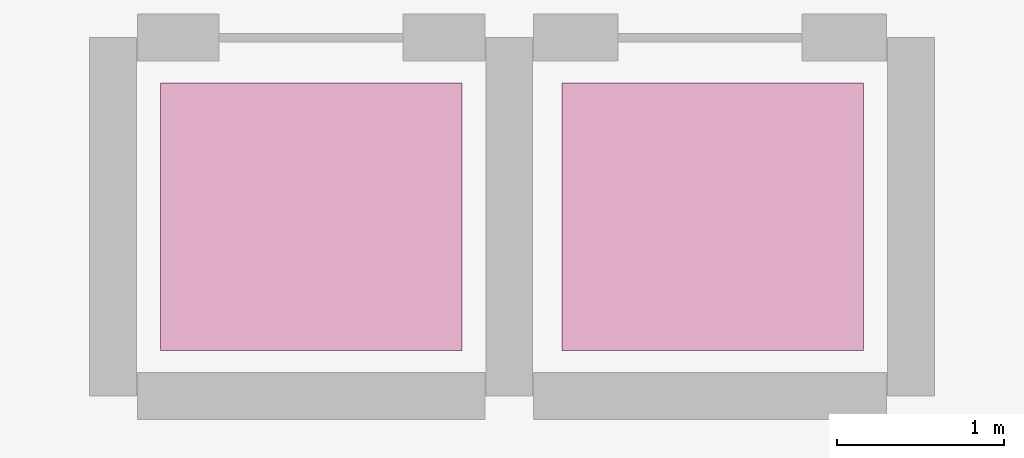
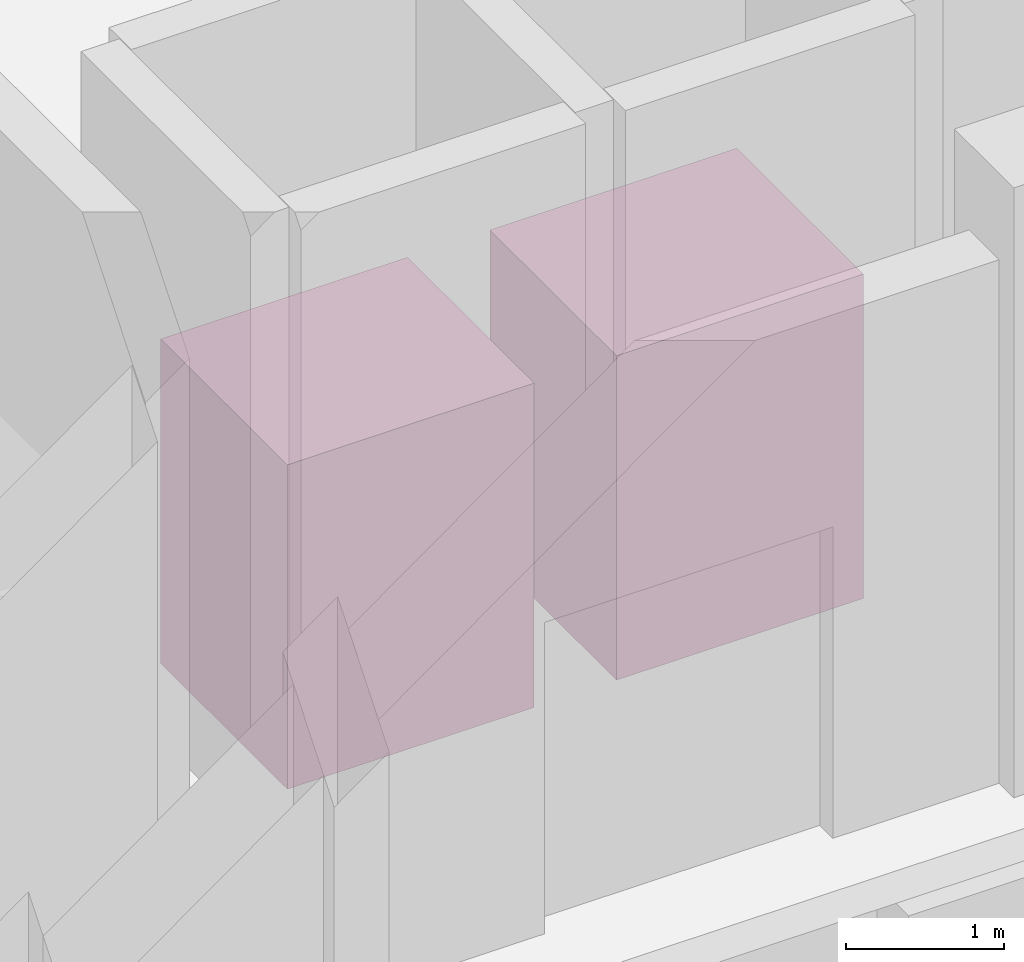
# One storey, part 173 of 173: 2 transport elements.
"""IFC4 building model written with IfcOpenShell, lengths in metres."""

import ifcopenshell
import ifcopenshell.guid

model = None  # the IFC model being written
_history = None  # IfcOwnerHistory: only IFC2X3 demands one
_inside = {}  # id of a spatial element -> (the spatial element, [elements in it])
_under = {}  # id of a project, library or spatial element -> (it, [spatial elements below it])
_declared = {}  # id of a project -> (the project, [libraries it declares])
_typed = {}  # id of a type object -> (the type object, [elements of that type])
_made_of = {}  # id of a material, layer set ... -> (it, [elements and type objects made of it])


def new_model(schema):
    """Start an empty IFC model of exactly this schema.

    Asked for "IFC4X3", IfcOpenShell would pick the latest addendum, in which some entities
    have other attributes; the version numbers below select the first issue.
    IFC2X3 requires an IfcOwnerHistory on every rooted entity: one is made here for all.
    """
    global model, _history
    if schema == "IFC4X3":
        model = ifcopenshell.file(schema_version=(4, 3, 0, 0))
    else:
        model = ifcopenshell.file(schema=schema)
    _inside.clear()
    _under.clear()
    _declared.clear()
    _typed.clear()
    _made_of.clear()
    _history = None
    if model.schema == "IFC2X3":
        org = make("IfcOrganization", Name="unknown")
        user = make(
            "IfcPersonAndOrganization",
            ThePerson=make("IfcPerson", FamilyName="unknown"),
            TheOrganization=org,
        )
        app = make(
            "IfcApplication",
            ApplicationDeveloper=org,
            Version="unknown",
            ApplicationFullName="unknown",
            ApplicationIdentifier="unknown",
        )
        _history = make(
            "IfcOwnerHistory",
            OwningUser=user,
            OwningApplication=app,
            ChangeAction="ADDED",
            CreationDate=0,
        )
    return model


def make(cls, **values):
    """One entity of the class cls with the attributes given. An attribute that is None is left unset."""
    return model.create_entity(
        cls, **{name: value for name, value in values.items() if value is not None}
    )


def rooted(cls, **values):
    """An entity with a GlobalId (a new one), such as an element, a storey or a relation."""
    return make(cls, GlobalId=ifcopenshell.guid.new(), OwnerHistory=_history, **values)


def si_unit(unit_type, name, prefix=None):
    """IfcSIUnit, for example si_unit("LENGTHUNIT", "METRE", prefix="MILLI")."""
    return make("IfcSIUnit", UnitType=unit_type, Prefix=prefix, Name=name)


def assignment(units):
    """IfcUnitAssignment: the units of a project."""
    return None if units is None else make("IfcUnitAssignment", Units=units)


def point(xyz):
    """IfcCartesianPoint."""
    return None if xyz is None else make("IfcCartesianPoint", Coordinates=xyz)


def direction(xyz):
    """IfcDirection."""
    return None if xyz is None else make("IfcDirection", DirectionRatios=xyz)


def frame(location, z_axis=None, x_axis=None):
    """IfcAxis2Placement3D, a coordinate frame: its origin and axes. An axis left out is left unset."""
    return make(
        "IfcAxis2Placement3D",
        Location=point(location),
        Axis=direction(z_axis),
        RefDirection=direction(x_axis),
    )


def frame_2d(location, x_axis=None):
    """IfcAxis2Placement2D, a coordinate frame in the plane: its origin and x axis."""
    return make(
        "IfcAxis2Placement2D", Location=point(location), RefDirection=direction(x_axis)
    )


def origin():
    """The frame at (0, 0, 0) with its axes left unset."""
    return frame((0.0, 0.0, 0.0))


def origin_2d():
    """The frame at (0, 0) in the plane with its x axis left unset."""
    return frame_2d((0.0, 0.0))


def place(relative_to, where):
    """IfcLocalPlacement: puts the frame where relative to a parent placement (None: the world)."""
    return make(
        "IfcLocalPlacement", PlacementRelTo=relative_to, RelativePlacement=where
    )


def context(
    kind, dimensions, precision=None, world=None, true_north=None, identifier=None
):
    """IfcGeometricRepresentationContext, for example the 3D "Model" context."""
    return make(
        "IfcGeometricRepresentationContext",
        ContextIdentifier=identifier,
        ContextType=kind,
        CoordinateSpaceDimension=dimensions,
        Precision=precision,
        WorldCoordinateSystem=world,
        TrueNorth=true_north,
    )


def subcontext(parent, identifier, kind, view, scale=None):
    """IfcGeometricRepresentationSubContext, for example "Body" below "Model"."""
    return make(
        "IfcGeometricRepresentationSubContext",
        ContextIdentifier=identifier,
        ContextType=kind,
        ParentContext=parent,
        TargetScale=scale,
        TargetView=view,
    )


def project(units=None, contexts=None):
    """IfcProject with its units and contexts."""
    return rooted(
        "IfcProject",
        Name="project",
        RepresentationContexts=contexts,
        UnitsInContext=assignment(units),
    )


def spatial(cls, under=None, at=None, **own):
    """A site, building, storey or space (cls), placed at a placement, below another one or the project."""
    s = rooted(cls, ObjectPlacement=at, **own)
    if under is not None:
        _under.setdefault(under.id(), (under, []))[1].append(s)
    return s


def profile(cls, at=None, kind="AREA", **sizes):
    """A parametric profile (cls). Its sizes go by their IFC names, for example OverallWidth=200.0."""
    return make(cls, ProfileType=kind, Position=at, **sizes)


def rectangle(**sizes):
    """IfcRectangleProfileDef."""
    return profile("IfcRectangleProfileDef", **sizes)


def extrude(swept, where, along, depth):
    """IfcExtrudedAreaSolid: the profile swept, set in the frame where, extruded along a direction by depth."""
    return make(
        "IfcExtrudedAreaSolid",
        SweptArea=swept,
        Position=where,
        ExtrudedDirection=direction(along),
        Depth=depth,
    )


def shape(context_of_items, identifier, shape_type, items):
    """IfcShapeRepresentation: the items that make up one representation, for example the "Body"."""
    return make(
        "IfcShapeRepresentation",
        ContextOfItems=context_of_items,
        RepresentationIdentifier=identifier,
        RepresentationType=shape_type,
        Items=items,
    )


def material(Name=None, Category=None):
    """IfcMaterial."""
    return make("IfcMaterial", Name=Name, Category=Category)


def made_of(thing, what):
    """Note that an element or type object is made of a material, layer set ...; save() writes the relation."""
    if what is not None:
        _made_of.setdefault(what.id(), (what, []))[1].append(thing)
    return thing


def type_object(cls, material=None, **own):
    """A type object (cls), such as IfcWallType, which elements share."""
    return made_of(rooted(cls, **own), material)


def element(
    cls,
    number,
    at=None,
    inside=None,
    cuts=None,
    type_object=None,
    material=None,
    context=None,
    identifier="Body",
    shape_type=None,
    held_by="IfcProductDefinitionShape",
    body=None,
    shapes=None,
    **own,
):
    """One element of the class cls, such as IfcWall. Its Tag is "e" and its number.

    at: its placement. inside: the storey or other place that contains it. cuts: it is an
    opening in that element (IfcRelVoidsElement). A single representation is given by context,
    identifier, shape_type and body (its items); several are given by shapes. held_by: the class
    of the entity that holds the representations. save() writes the other relations.
    """
    e = rooted(cls, Tag="e%d" % number, ObjectPlacement=at, **own)
    if body is not None:
        shapes = [shape(context, identifier, shape_type, body)]
    if shapes is not None:
        e.Representation = make(held_by, Representations=shapes)
    if inside is not None:
        _inside.setdefault(inside.id(), (inside, []))[1].append(e)
    if cuts is not None:
        rooted(
            "IfcRelVoidsElement", RelatingBuildingElement=cuts, RelatedOpeningElement=e
        )
    if type_object is not None:
        _typed.setdefault(type_object.id(), (type_object, []))[1].append(e)
    return made_of(e, material)


def aggregate(whole, parts):
    """IfcRelAggregates: a whole, such as a stair, and the parts it consists of."""
    return rooted("IfcRelAggregates", RelatingObject=whole, RelatedObjects=parts)


def save(model, path):
    """Write the relations noted so far, then the file.

    IfcRelAggregates (storeys below a building ...), IfcRelContainedInSpatialStructure (elements
    in a storey), IfcRelDefinesByType, IfcRelAssociatesMaterial and IfcRelDeclares: one each for
    every whole, place, type object, material and project.
    """
    for whole, parts in _under.values():
        aggregate(whole, parts)
    for where, things in _inside.values():
        rooted(
            "IfcRelContainedInSpatialStructure",
            RelatedElements=things,
            RelatingStructure=where,
        )
    for kind, things in _typed.values():
        rooted("IfcRelDefinesByType", RelatedObjects=things, RelatingType=kind)
    for what, things in _made_of.values():
        rooted("IfcRelAssociatesMaterial", RelatedObjects=things, RelatingMaterial=what)
    for by, libraries in _declared.values():
        rooted("IfcRelDeclares", RelatingContext=by, RelatedDefinitions=libraries)
    model.write(path)


model = new_model("IFC4")

# Units and contexts
model_context = context("Model", 3, precision=1e-05, world=origin(), true_north=direction((0.0, 1.0)))
body_context = subcontext(model_context, "Body", "Model", "MODEL_VIEW")
ifc_project = project(units=[si_unit("LENGTHUNIT", "METRE"), si_unit("AREAUNIT", "SQUARE_METRE"), si_unit("VOLUMEUNIT", "CUBIC_METRE"), si_unit("PLANEANGLEUNIT", "RADIAN"), si_unit("MASSUNIT", "GRAM", prefix="KILO")], contexts=[model_context])

# Site, building, storey
site_placement = place(None, origin())
site = spatial("IfcSite", under=ifc_project, at=site_placement, CompositionType="ELEMENT")
building_placement = place(site_placement, origin())
building = spatial("IfcBuilding", under=site, at=building_placement, Name="Mawjan Specialist Oncology Clinic", CompositionType="ELEMENT")
storey_placement = place(building_placement, origin())
storey = spatial("IfcBuildingStorey", under=building, at=storey_placement, Name="L00", CompositionType="ELEMENT", Elevation=0.0)

# Transport elements
ifc_material = material(Name="Stainless-steel traction elevator cab", Category="steel")
transport_element_type = type_object("IfcTransportElementType", Name="LFT-PAS", PredefinedType="ELEVATOR", material=ifc_material)
for number, where, z_axis, x_axis, name in (
    (1, (11.60009765625, 3.60009765625, 0.0), (0.0, 0.0, 1.0), (1.0, 0.0, 0.0), "Passenger Lift LF-03"),
    (2, (14.0, 3.60009765625, 0.0), (0.0, 0.0, 1.0), (1.0, 0.0, 0.0), "Passenger Lift LF-04"),
):
    element("IfcTransportElement", number, at=place(storey_placement, frame(where, z_axis=z_axis, x_axis=x_axis)), inside=storey, type_object=transport_element_type, Name=name, PredefinedType="ELEVATOR", context=body_context, shape_type="SweptSolid", body=[
        extrude(rectangle(XDim=1.800048828125, YDim=1.60009765625, at=origin_2d()), origin(), (0.0, 0.0, 1.0), 2.5),
    ])

save(model, "model.ifc")
